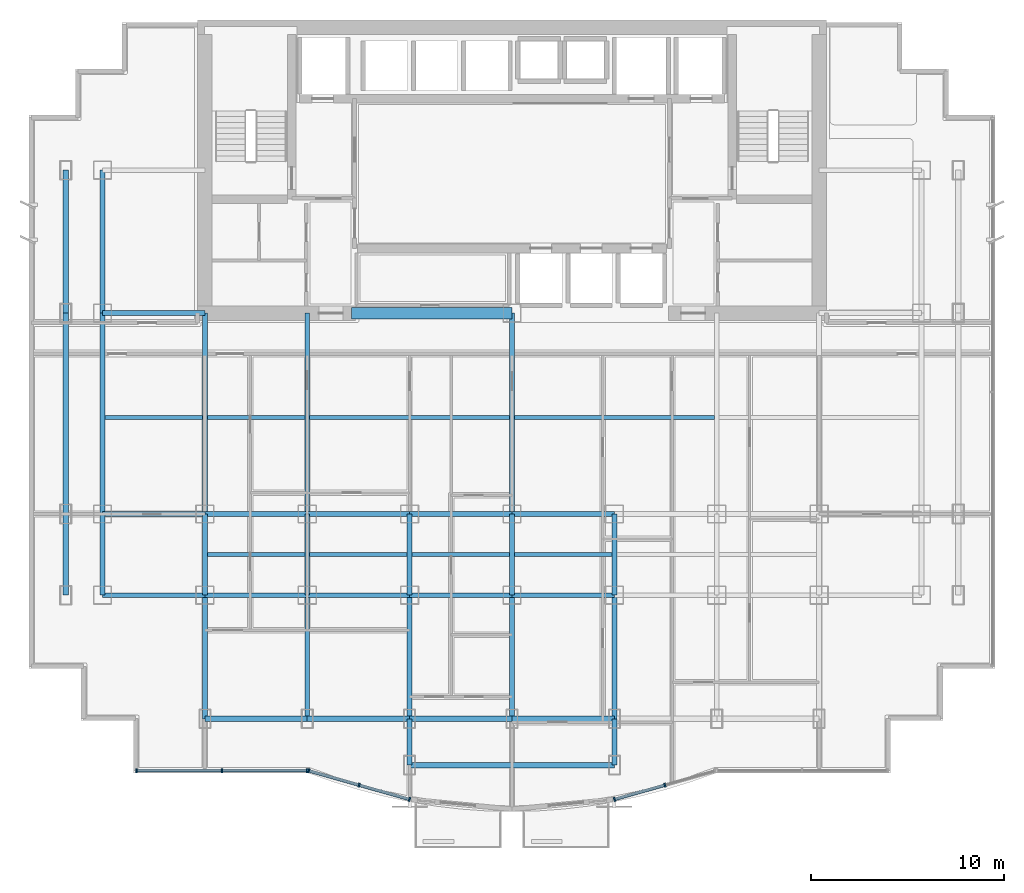
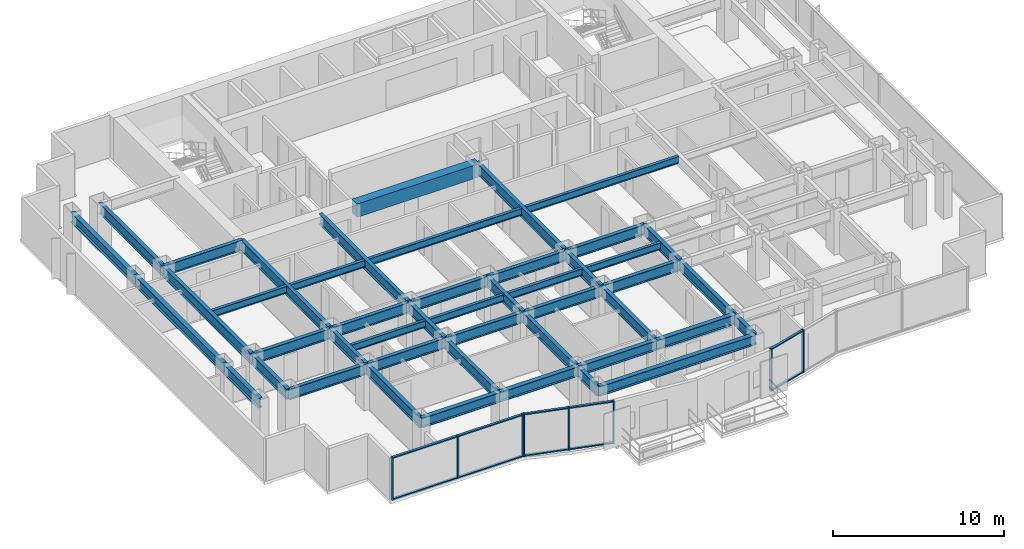
# One storey, part 2 of 11: 46 beams, 18 members, 3 elements without a shape of their own.
"""IFC4 building model written with IfcOpenShell, lengths in metres."""

from ifc_helpers import new_model, si_unit, direction, frame, origin, origin_2d, place, context, subcontext, project, spatial, rectangle, i_section, extrude, source, transform, mapped, material, layer, layer_set, material_profile, profile_set, type_object, element, aggregate, save


model = new_model("IFC4")

# Units and contexts
model_context = context("Model", 3, precision=1e-05, world=origin(), true_north=direction((0.0, 1.0)))
body_context = subcontext(model_context, "Body", "Model", "MODEL_VIEW")
ifc_project = project(units=[si_unit("LENGTHUNIT", "METRE"), si_unit("AREAUNIT", "SQUARE_METRE"), si_unit("VOLUMEUNIT", "CUBIC_METRE"), si_unit("PLANEANGLEUNIT", "RADIAN"), si_unit("MASSUNIT", "GRAM", prefix="KILO")], contexts=[model_context])

# Site, building, storey
site_placement = place(None, origin())
site = spatial("IfcSite", under=ifc_project, at=site_placement, CompositionType="ELEMENT")
building_placement = place(site_placement, origin())
building = spatial("IfcBuilding", under=site, at=building_placement, Name="Qianlan Lanfeng Residences", CompositionType="ELEMENT")
storey_placement = place(building_placement, frame((0.0, 0.0, 124.60009765625)))
storey = spatial("IfcBuildingStorey", under=building, at=storey_placement, Name="L34", CompositionType="ELEMENT", Elevation=124.60009765625)

# Beams
ifc_material_1 = material(Name="Steel SN490B", Category="steel")
ifc_material_profile_1 = material_profile(ifc_material_1, i_section(OverallWidth=0.25, OverallDepth=0.75, WebThickness=0.013916015625, FlangeThickness=0.02490234375, at=origin_2d()), Name="H 750x250x14x25")
ifc_profile_set_1 = profile_set([ifc_material_profile_1], Name="Steel SN490B")
beam_type_1 = type_object("IfcBeamType", Name="G-850", PredefinedType="BEAM", material=ifc_profile_set_1)
beam_1_placement = place(storey_placement, frame((5.300048828125, 10.60009765625, 2.65478515625), z_axis=(1.0, 0.0, 0.0), x_axis=(0.0, 1.0, 0.0)))
element("IfcBeam", 1, at=beam_1_placement, inside=storey, type_object=beam_type_1, Name="Structural beam G-850", PredefinedType="BEAM", context=body_context, shape_type="SweptSolid", body=[
    extrude(i_section(OverallWidth=0.25, OverallDepth=0.75, WebThickness=0.013916015625, FlangeThickness=0.02490234375, at=origin_2d()), origin(), (0.0, 0.0, 1.0), 5.300048828125),
])
beam_2_placement = place(storey_placement, frame((10.60009765625, 10.60009765625, 2.65478515625), z_axis=(1.0, 0.0, 0.0), x_axis=(0.0, 1.0, 0.0)))
element("IfcBeam", 2, at=beam_2_placement, inside=storey, type_object=beam_type_1, Name="Structural beam G-850", PredefinedType="BEAM", context=body_context, shape_type="SweptSolid", body=[
    extrude(i_section(OverallWidth=0.25, OverallDepth=0.75, WebThickness=0.013916015625, FlangeThickness=0.02490234375, at=origin_2d()), origin(), (0.0, 0.0, 1.0), 5.2998046875),
])
for number, where, z_axis, x_axis, name in (
    (3, (15.89990234375, 10.60009765625, 2.65478515625), (1.0, 0.0, 0.0), (0.0, 1.0, 0.0), "Structural beam G-850"),
    (4, (21.199951171875, 10.60009765625, 2.65478515625), (1.0, 0.0, 0.0), (0.0, 1.0, 0.0), "Structural beam G-850"),
    (5, (26.5, 10.60009765625, 2.65478515625), (1.0, 0.0, 0.0), (0.0, 1.0, 0.0), "Structural beam G-850"),
    (6, (5.300048828125, 14.800048828125, 2.65478515625), (1.0, 0.0, 0.0), (0.0, 1.0, 0.0), "Structural beam G-850"),
):
    element("IfcBeam", number, at=place(storey_placement, frame(where, z_axis=z_axis, x_axis=x_axis)), inside=storey, type_object=beam_type_1, Name=name, PredefinedType="BEAM", context=body_context, shape_type="SweptSolid", body=[
        extrude(i_section(OverallWidth=0.25, OverallDepth=0.75, WebThickness=0.013916015625, FlangeThickness=0.02490234375, at=origin_2d()), origin(), (0.0, 0.0, 1.0), 5.300048828125),
    ])
beam_3_placement = place(storey_placement, frame((10.60009765625, 14.800048828125, 2.65478515625), z_axis=(1.0, 0.0, 0.0), x_axis=(0.0, 1.0, 0.0)))
element("IfcBeam", 7, at=beam_3_placement, inside=storey, type_object=beam_type_1, Name="Structural beam G-850", PredefinedType="BEAM", context=body_context, shape_type="SweptSolid", body=[
    extrude(i_section(OverallWidth=0.25, OverallDepth=0.75, WebThickness=0.013916015625, FlangeThickness=0.02490234375, at=origin_2d()), origin(), (0.0, 0.0, 1.0), 5.2998046875),
])
for number, where, z_axis, x_axis, name in (
    (8, (15.89990234375, 14.800048828125, 2.65478515625), (1.0, 0.0, 0.0), (0.0, 1.0, 0.0), "Structural beam G-850"),
    (9, (21.199951171875, 14.800048828125, 2.65478515625), (1.0, 0.0, 0.0), (0.0, 1.0, 0.0), "Structural beam G-850"),
    (10, (26.5, 14.800048828125, 2.65478515625), (1.0, 0.0, 0.0), (0.0, 1.0, 0.0), "Structural beam G-850"),
    (11, (5.300048828125, 25.199951171875, 2.65478515625), (1.0, 0.0, 0.0), (0.0, 1.0, 0.0), "Structural beam G-850"),
):
    element("IfcBeam", number, at=place(storey_placement, frame(where, z_axis=z_axis, x_axis=x_axis)), inside=storey, type_object=beam_type_1, Name=name, PredefinedType="BEAM", context=body_context, shape_type="SweptSolid", body=[
        extrude(i_section(OverallWidth=0.25, OverallDepth=0.75, WebThickness=0.013916015625, FlangeThickness=0.02490234375, at=origin_2d()), origin(), (0.0, 0.0, 1.0), 5.300048828125),
    ])
beam_4_placement = place(storey_placement, frame((5.300048828125, 10.60009765625, 2.65478515625), z_axis=(0.0, 1.0, 0.0), x_axis=(-1.0, 0.0, 0.0)))
element("IfcBeam", 12, at=beam_4_placement, inside=storey, type_object=beam_type_1, Name="Structural beam G-850", PredefinedType="BEAM", context=body_context, shape_type="SweptSolid", body=[
    extrude(i_section(OverallWidth=0.25, OverallDepth=0.75, WebThickness=0.013916015625, FlangeThickness=0.02490234375, at=origin_2d()), origin(), (0.0, 0.0, 1.0), 4.199951171875),
])
beam_5_placement = place(storey_placement, frame((5.300048828125, 14.800048828125, 2.65478515625), z_axis=(0.0, 1.0, 0.0), x_axis=(-1.0, 0.0, 0.0)))
element("IfcBeam", 13, at=beam_5_placement, inside=storey, type_object=beam_type_1, Name="Structural beam G-850", PredefinedType="BEAM", context=body_context, shape_type="SweptSolid", body=[
    extrude(i_section(OverallWidth=0.25, OverallDepth=0.75, WebThickness=0.013916015625, FlangeThickness=0.02490234375, at=origin_2d()), origin(), (0.0, 0.0, 1.0), 10.39990234375),
])
beam_6_placement = place(storey_placement, frame((5.300048828125, 25.199951171875, 2.65478515625), z_axis=(0.0, 1.0, 0.0), x_axis=(-1.0, 0.0, 0.0)))
element("IfcBeam", 14, at=beam_6_placement, inside=storey, type_object=beam_type_1, Name="Structural beam G-850", PredefinedType="BEAM", context=body_context, shape_type="SweptSolid", body=[
    extrude(i_section(OverallWidth=0.25, OverallDepth=0.75, WebThickness=0.013916015625, FlangeThickness=0.02490234375, at=origin_2d()), origin(), (0.0, 0.0, 1.0), 7.400146484375),
])
beam_7_placement = place(storey_placement, frame((10.60009765625, 4.199951171875, 2.65478515625), z_axis=(0.0, 1.0, 0.0), x_axis=(-1.0, 0.0, 0.0)))
element("IfcBeam", 15, at=beam_7_placement, inside=storey, type_object=beam_type_1, Name="Structural beam G-850", PredefinedType="BEAM", context=body_context, shape_type="SweptSolid", body=[
    extrude(i_section(OverallWidth=0.25, OverallDepth=0.75, WebThickness=0.013916015625, FlangeThickness=0.02490234375, at=origin_2d()), origin(), (0.0, 0.0, 1.0), 6.400146484375),
])
beam_8_placement = place(storey_placement, frame((10.60009765625, 10.60009765625, 2.65478515625), z_axis=(0.0, 1.0, 0.0), x_axis=(-1.0, 0.0, 0.0)))
element("IfcBeam", 16, at=beam_8_placement, inside=storey, type_object=beam_type_1, Name="Structural beam G-850", PredefinedType="BEAM", context=body_context, shape_type="SweptSolid", body=[
    extrude(i_section(OverallWidth=0.25, OverallDepth=0.75, WebThickness=0.013916015625, FlangeThickness=0.02490234375, at=origin_2d()), origin(), (0.0, 0.0, 1.0), 4.199951171875),
])
beam_9_placement = place(storey_placement, frame((10.60009765625, 14.800048828125, 2.65478515625), z_axis=(0.0, 1.0, 0.0), x_axis=(-1.0, 0.0, 0.0)))
element("IfcBeam", 17, at=beam_9_placement, inside=storey, type_object=beam_type_1, Name="Structural beam G-850", PredefinedType="BEAM", context=body_context, shape_type="SweptSolid", body=[
    extrude(i_section(OverallWidth=0.25, OverallDepth=0.75, WebThickness=0.013916015625, FlangeThickness=0.02490234375, at=origin_2d()), origin(), (0.0, 0.0, 1.0), 10.39990234375),
])
beam_10_placement = place(storey_placement, frame((15.89990234375, 4.199951171875, 2.65478515625), z_axis=(0.0, 1.0, 0.0), x_axis=(-1.0, 0.0, 0.0)))
element("IfcBeam", 18, at=beam_10_placement, inside=storey, type_object=beam_type_1, Name="Structural beam G-850", PredefinedType="BEAM", context=body_context, shape_type="SweptSolid", body=[
    extrude(i_section(OverallWidth=0.25, OverallDepth=0.75, WebThickness=0.013916015625, FlangeThickness=0.02490234375, at=origin_2d()), origin(), (0.0, 0.0, 1.0), 6.400146484375),
])
beam_11_placement = place(storey_placement, frame((15.89990234375, 10.60009765625, 2.65478515625), z_axis=(0.0, 1.0, 0.0), x_axis=(-1.0, 0.0, 0.0)))
element("IfcBeam", 19, at=beam_11_placement, inside=storey, type_object=beam_type_1, Name="Structural beam G-850", PredefinedType="BEAM", context=body_context, shape_type="SweptSolid", body=[
    extrude(i_section(OverallWidth=0.25, OverallDepth=0.75, WebThickness=0.013916015625, FlangeThickness=0.02490234375, at=origin_2d()), origin(), (0.0, 0.0, 1.0), 4.199951171875),
])
beam_12_placement = place(storey_placement, frame((15.89990234375, 14.800048828125, 2.65478515625), z_axis=(0.0, 1.0, 0.0), x_axis=(-1.0, 0.0, 0.0)))
element("IfcBeam", 20, at=beam_12_placement, inside=storey, type_object=beam_type_1, Name="Structural beam G-850", PredefinedType="BEAM", context=body_context, shape_type="SweptSolid", body=[
    extrude(i_section(OverallWidth=0.25, OverallDepth=0.75, WebThickness=0.013916015625, FlangeThickness=0.02490234375, at=origin_2d()), origin(), (0.0, 0.0, 1.0), 10.39990234375),
])
beam_13_placement = place(storey_placement, frame((21.199951171875, 1.800048828125, 2.65478515625), z_axis=(0.0, 1.0, 0.0), x_axis=(-1.0, 0.0, 0.0)))
element("IfcBeam", 21, at=beam_13_placement, inside=storey, type_object=beam_type_1, Name="Structural beam G-850", PredefinedType="BEAM", context=body_context, shape_type="SweptSolid", body=[
    extrude(i_section(OverallWidth=0.25, OverallDepth=0.75, WebThickness=0.013916015625, FlangeThickness=0.02490234375, at=origin_2d()), origin(), (0.0, 0.0, 1.0), 2.39990234375),
])
beam_14_placement = place(storey_placement, frame((21.199951171875, 4.199951171875, 2.65478515625), z_axis=(0.0, 1.0, 0.0), x_axis=(-1.0, 0.0, 0.0)))
element("IfcBeam", 22, at=beam_14_placement, inside=storey, type_object=beam_type_1, Name="Structural beam G-850", PredefinedType="BEAM", context=body_context, shape_type="SweptSolid", body=[
    extrude(i_section(OverallWidth=0.25, OverallDepth=0.75, WebThickness=0.013916015625, FlangeThickness=0.02490234375, at=origin_2d()), origin(), (0.0, 0.0, 1.0), 6.400146484375),
])
beam_15_placement = place(storey_placement, frame((21.199951171875, 10.60009765625, 2.65478515625), z_axis=(0.0, 1.0, 0.0), x_axis=(-1.0, 0.0, 0.0)))
element("IfcBeam", 23, at=beam_15_placement, inside=storey, type_object=beam_type_1, Name="Structural beam G-850", PredefinedType="BEAM", context=body_context, shape_type="SweptSolid", body=[
    extrude(i_section(OverallWidth=0.25, OverallDepth=0.75, WebThickness=0.013916015625, FlangeThickness=0.02490234375, at=origin_2d()), origin(), (0.0, 0.0, 1.0), 4.199951171875),
])
beam_16_placement = place(storey_placement, frame((26.5, 4.199951171875, 2.65478515625), z_axis=(0.0, 1.0, 0.0), x_axis=(-1.0, 0.0, 0.0)))
element("IfcBeam", 24, at=beam_16_placement, inside=storey, type_object=beam_type_1, Name="Structural beam G-850", PredefinedType="BEAM", context=body_context, shape_type="SweptSolid", body=[
    extrude(i_section(OverallWidth=0.25, OverallDepth=0.75, WebThickness=0.013916015625, FlangeThickness=0.02490234375, at=origin_2d()), origin(), (0.0, 0.0, 1.0), 6.400146484375),
])
beam_17_placement = place(storey_placement, frame((26.5, 10.60009765625, 2.65478515625), z_axis=(0.0, 1.0, 0.0), x_axis=(-1.0, 0.0, 0.0)))
element("IfcBeam", 25, at=beam_17_placement, inside=storey, type_object=beam_type_1, Name="Structural beam G-850", PredefinedType="BEAM", context=body_context, shape_type="SweptSolid", body=[
    extrude(i_section(OverallWidth=0.25, OverallDepth=0.75, WebThickness=0.013916015625, FlangeThickness=0.02490234375, at=origin_2d()), origin(), (0.0, 0.0, 1.0), 4.199951171875),
])
beam_18_placement = place(storey_placement, frame((26.5, 14.800048828125, 2.65478515625), z_axis=(0.0, 1.0, 0.0), x_axis=(-1.0, 0.0, 0.0)))
element("IfcBeam", 26, at=beam_18_placement, inside=storey, type_object=beam_type_1, Name="Structural beam G-850", PredefinedType="BEAM", context=body_context, shape_type="SweptSolid", body=[
    extrude(i_section(OverallWidth=0.25, OverallDepth=0.75, WebThickness=0.013916015625, FlangeThickness=0.02490234375, at=origin_2d()), origin(), (0.0, 0.0, 1.0), 10.39990234375),
])
beam_19_placement = place(storey_placement, frame((31.800048828125, 1.800048828125, 2.65478515625), z_axis=(0.0, 1.0, 0.0), x_axis=(-1.0, 0.0, 0.0)))
element("IfcBeam", 27, at=beam_19_placement, inside=storey, type_object=beam_type_1, Name="Structural beam G-850", PredefinedType="BEAM", context=body_context, shape_type="SweptSolid", body=[
    extrude(i_section(OverallWidth=0.25, OverallDepth=0.75, WebThickness=0.013916015625, FlangeThickness=0.02490234375, at=origin_2d()), origin(), (0.0, 0.0, 1.0), 2.39990234375),
])
beam_20_placement = place(storey_placement, frame((31.800048828125, 4.199951171875, 2.65478515625), z_axis=(0.0, 1.0, 0.0), x_axis=(-1.0, 0.0, 0.0)))
element("IfcBeam", 28, at=beam_20_placement, inside=storey, type_object=beam_type_1, Name="Structural beam G-850", PredefinedType="BEAM", context=body_context, shape_type="SweptSolid", body=[
    extrude(i_section(OverallWidth=0.25, OverallDepth=0.75, WebThickness=0.013916015625, FlangeThickness=0.02490234375, at=origin_2d()), origin(), (0.0, 0.0, 1.0), 6.400146484375),
])
beam_21_placement = place(storey_placement, frame((31.800048828125, 10.60009765625, 2.65478515625), z_axis=(0.0, 1.0, 0.0), x_axis=(-1.0, 0.0, 0.0)))
element("IfcBeam", 29, at=beam_21_placement, inside=storey, type_object=beam_type_1, Name="Structural beam G-850", PredefinedType="BEAM", context=body_context, shape_type="SweptSolid", body=[
    extrude(i_section(OverallWidth=0.25, OverallDepth=0.75, WebThickness=0.013916015625, FlangeThickness=0.02490234375, at=origin_2d()), origin(), (0.0, 0.0, 1.0), 4.199951171875),
])
ifc_material_profile_2 = material_profile(ifc_material_1, i_section(OverallWidth=0.199951171875, OverallDepth=0.5, WebThickness=0.010009765625, FlangeThickness=0.01611328125, at=origin_2d()), Name="H 500x200x10x16")
ifc_profile_set_2 = profile_set([ifc_material_profile_2], Name="Steel SN490B")
beam_type_2 = type_object("IfcBeamType", Name="J-500", PredefinedType="JOIST", material=ifc_profile_set_2)
beam_22_placement = place(storey_placement, frame((10.72509765625, 12.699951171875, 2.77978515625), z_axis=(1.0, 0.0, 0.0), x_axis=(0.0, 1.0, 0.0)))
element("IfcBeam", 30, at=beam_22_placement, inside=storey, type_object=beam_type_2, Name="Structural beam J-500", PredefinedType="JOIST", context=body_context, shape_type="SweptSolid", body=[
    extrude(i_section(OverallWidth=0.199951171875, OverallDepth=0.5, WebThickness=0.010009765625, FlangeThickness=0.01611328125, at=origin_2d()), origin(), (0.0, 0.0, 1.0), 5.0498046875),
])
for number, where, z_axis, x_axis, name in (
    (31, (16.02490234375, 12.699951171875, 2.77978515625), (1.0, 0.0, 0.0), (0.0, 1.0, 0.0), "Structural beam J-500"),
    (32, (21.324951171875, 12.699951171875, 2.77978515625), (1.0, 0.0, 0.0), (0.0, 1.0, 0.0), "Structural beam J-500"),
    (33, (26.625, 12.699951171875, 2.77978515625), (1.0, 0.0, 0.0), (0.0, 1.0, 0.0), "Structural beam J-500"),
    (34, (5.425048828125, 19.800048828125, 2.77978515625), (1.0, 0.0, 0.0), (0.0, 1.0, 0.0), "Structural beam J-500"),
):
    element("IfcBeam", number, at=place(storey_placement, frame(where, z_axis=z_axis, x_axis=x_axis)), inside=storey, type_object=beam_type_2, Name=name, PredefinedType="JOIST", context=body_context, shape_type="SweptSolid", body=[
        extrude(i_section(OverallWidth=0.199951171875, OverallDepth=0.5, WebThickness=0.010009765625, FlangeThickness=0.01611328125, at=origin_2d()), origin(), (0.0, 0.0, 1.0), 5.050048828125),
    ])
beam_23_placement = place(storey_placement, frame((10.72509765625, 19.800048828125, 2.77978515625), z_axis=(1.0, 0.0, 0.0), x_axis=(0.0, 1.0, 0.0)))
element("IfcBeam", 35, at=beam_23_placement, inside=storey, type_object=beam_type_2, Name="Structural beam J-500", PredefinedType="JOIST", context=body_context, shape_type="SweptSolid", body=[
    extrude(i_section(OverallWidth=0.199951171875, OverallDepth=0.5, WebThickness=0.010009765625, FlangeThickness=0.01611328125, at=origin_2d()), origin(), (0.0, 0.0, 1.0), 5.0498046875),
])
for number, where, z_axis, x_axis, name in (
    (36, (16.02490234375, 19.800048828125, 2.77978515625), (1.0, 0.0, 0.0), (0.0, 1.0, 0.0), "Structural beam J-500"),
    (37, (26.625, 19.800048828125, 2.77978515625), (1.0, 0.0, 0.0), (0.0, 1.0, 0.0), "Structural beam J-500"),
):
    element("IfcBeam", number, at=place(storey_placement, frame(where, z_axis=z_axis, x_axis=x_axis)), inside=storey, type_object=beam_type_2, Name=name, PredefinedType="JOIST", context=body_context, shape_type="SweptSolid", body=[
        extrude(i_section(OverallWidth=0.199951171875, OverallDepth=0.5, WebThickness=0.010009765625, FlangeThickness=0.01611328125, at=origin_2d()), origin(), (0.0, 0.0, 1.0), 10.35009765625),
    ])
ifc_material_2 = material(Name="Concrete C60", Category="concrete")
ifc_material_profile_3 = material_profile(ifc_material_2, rectangle(XDim=0.60009765625, YDim=0.949951171875, at=origin_2d()), Name="RC 600x950")
ifc_profile_set_3 = profile_set([ifc_material_profile_3], Name="Concrete C60")
beam_type_3 = type_object("IfcBeamType", Name="LB-RC900", PredefinedType="BEAM", material=ifc_profile_set_3)
beam_24_placement = place(storey_placement, frame((18.199951171875, 25.199951171875, 2.554931640625), z_axis=(1.0, 0.0, 0.0), x_axis=(0.0, 1.0, 0.0)))
element("IfcBeam", 38, at=beam_24_placement, inside=storey, type_object=beam_type_3, Name="L34 Core Coupling Beam W", PredefinedType="BEAM", context=body_context, shape_type="SweptSolid", body=[
    extrude(rectangle(XDim=0.60009765625, YDim=0.949951171875, at=origin_2d()), origin(), (0.0, 0.0, 1.0), 8.300048828125),
])
ifc_material_profile_4 = material_profile(ifc_material_1, i_section(OverallWidth=0.300048828125, OverallDepth=0.699951171875, WebThickness=0.012939453125, FlangeThickness=0.02392578125, at=origin_2d()), Name="H 700x300x13x24")
ifc_profile_set_4 = profile_set([ifc_material_profile_4], Name="Steel SN490B")
beam_type_4 = type_object("IfcBeamType", Name="SG-750", PredefinedType="SPANDREL", material=ifc_profile_set_4)
beam_25_placement = place(storey_placement, frame((21.199951171875, 1.800048828125, 2.679931640625), z_axis=(1.0, 0.0, 0.0), x_axis=(0.0, 1.0, 0.0)))
element("IfcBeam", 39, at=beam_25_placement, inside=storey, type_object=beam_type_4, Name="Structural beam SG-750", PredefinedType="SPANDREL", context=body_context, shape_type="SweptSolid", body=[
    extrude(i_section(OverallWidth=0.300048828125, OverallDepth=0.699951171875, WebThickness=0.012939453125, FlangeThickness=0.02392578125, at=origin_2d()), origin(), (0.0, 0.0, 1.0), 10.60009765625),
])
beam_26_placement = place(storey_placement, frame((10.60009765625, 4.199951171875, 2.679931640625), z_axis=(1.0, 0.0, 0.0), x_axis=(0.0, 1.0, 0.0)))
element("IfcBeam", 40, at=beam_26_placement, inside=storey, type_object=beam_type_4, Name="Structural beam SG-750", PredefinedType="SPANDREL", context=body_context, shape_type="SweptSolid", body=[
    extrude(i_section(OverallWidth=0.300048828125, OverallDepth=0.699951171875, WebThickness=0.012939453125, FlangeThickness=0.02392578125, at=origin_2d()), origin(), (0.0, 0.0, 1.0), 5.2998046875),
])
for number, where, z_axis, x_axis, name in (
    (41, (15.89990234375, 4.199951171875, 2.679931640625), (1.0, 0.0, 0.0), (0.0, 1.0, 0.0), "Structural beam SG-750"),
    (42, (21.199951171875, 4.199951171875, 2.679931640625), (1.0, 0.0, 0.0), (0.0, 1.0, 0.0), "Structural beam SG-750"),
    (43, (26.5, 4.199951171875, 2.679931640625), (1.0, 0.0, 0.0), (0.0, 1.0, 0.0), "Structural beam SG-750"),
):
    element("IfcBeam", number, at=place(storey_placement, frame(where, z_axis=z_axis, x_axis=x_axis)), inside=storey, type_object=beam_type_4, Name=name, PredefinedType="SPANDREL", context=body_context, shape_type="SweptSolid", body=[
        extrude(i_section(OverallWidth=0.300048828125, OverallDepth=0.699951171875, WebThickness=0.012939453125, FlangeThickness=0.02392578125, at=origin_2d()), origin(), (0.0, 0.0, 1.0), 5.300048828125),
    ])
beam_27_placement = place(storey_placement, frame((3.39990234375, 10.60009765625, 2.679931640625), z_axis=(0.0, 1.0, 0.0), x_axis=(-1.0, 0.0, 0.0)))
element("IfcBeam", 44, at=beam_27_placement, inside=storey, type_object=beam_type_4, Name="Structural beam SG-750", PredefinedType="SPANDREL", context=body_context, shape_type="SweptSolid", body=[
    extrude(i_section(OverallWidth=0.300048828125, OverallDepth=0.699951171875, WebThickness=0.012939453125, FlangeThickness=0.02392578125, at=origin_2d()), origin(), (0.0, 0.0, 1.0), 4.199951171875),
])
beam_28_placement = place(storey_placement, frame((3.39990234375, 14.800048828125, 2.679931640625), z_axis=(0.0, 1.0, 0.0), x_axis=(-1.0, 0.0, 0.0)))
element("IfcBeam", 45, at=beam_28_placement, inside=storey, type_object=beam_type_4, Name="Structural beam SG-750", PredefinedType="SPANDREL", context=body_context, shape_type="SweptSolid", body=[
    extrude(i_section(OverallWidth=0.300048828125, OverallDepth=0.699951171875, WebThickness=0.012939453125, FlangeThickness=0.02392578125, at=origin_2d()), origin(), (0.0, 0.0, 1.0), 10.39990234375),
])
beam_29_placement = place(storey_placement, frame((3.39990234375, 25.199951171875, 2.679931640625), z_axis=(0.0, 1.0, 0.0), x_axis=(-1.0, 0.0, 0.0)))
element("IfcBeam", 46, at=beam_29_placement, inside=storey, type_object=beam_type_4, Name="Structural beam SG-750", PredefinedType="SPANDREL", context=body_context, shape_type="SweptSolid", body=[
    extrude(i_section(OverallWidth=0.300048828125, OverallDepth=0.699951171875, WebThickness=0.012939453125, FlangeThickness=0.02392578125, at=origin_2d()), origin(), (0.0, 0.0, 1.0), 7.400146484375),
])

# Curtain wall, members
ifc_material_3 = material(Name="Anodised Bronze Aluminium 6063-T6", Category="aluminium")
ifc_layer = layer(ifc_material_3, 0.219970703125)
ifc_layer_set = layer_set([ifc_layer], Name="Anodised Bronze Aluminium 6063-T6")
curtain_wall_type = type_object("IfcCurtainWallType", Name="CW-03", PredefinedType="NOTDEFINED", material=ifc_layer_set)
curtain_wall_1_placement = place(storey_placement, origin())
curtain_wall_1 = element("IfcCurtainWall", 47, at=curtain_wall_1_placement, inside=storey, type_object=curtain_wall_type, Name="L34 Unitised Curtain Wall CWR-L34-01 (CW-03)", PredefinedType="NOTDEFINED")
ifc_material_profile_5 = material_profile(ifc_material_3, rectangle(XDim=0.080078125, YDim=0.2099609375, at=origin_2d()), Name="ALU MULLION 80x210")
ifc_profile_set_5 = profile_set([ifc_material_profile_5], Name="Anodised Bronze Aluminium 6063-T6")
member_type_1 = type_object("IfcMemberType", Name="CWM-220", PredefinedType="MULLION", material=ifc_profile_set_5)
shared_shape_1 = source(origin(), body_context, "Body", "SweptSolid", [
    extrude(rectangle(XDim=0.080078125, YDim=0.2099609375, at=origin_2d()), origin(), (0.0, 0.0, 1.0), 3.02978515625),
])
member_1_placement = place(storey_placement, frame((7.06005859375, 1.52001953125, 0.0), z_axis=(0.0, 0.0, 1.0), x_axis=(1.0, 0.0, 0.0)))
member_1 = element("IfcMember", 48, at=member_1_placement, type_object=member_type_1, Name="CWR-L34-01 Mullion 1", PredefinedType="MULLION", context=body_context, shape_type="MappedRepresentation", body=[
    mapped(shared_shape_1, transform((0.0, 0.0, 0.0), scale=1.0)),
])
member_2_placement = place(storey_placement, frame((11.48046875, 1.52001953125, 0.0), z_axis=(0.0, 0.0, 1.0), x_axis=(1.0, 0.0, 0.0)))
member_2 = element("IfcMember", 49, at=member_2_placement, type_object=member_type_1, Name="CWR-L34-01 Mullion 2", PredefinedType="MULLION", context=body_context, shape_type="MappedRepresentation", body=[
    mapped(shared_shape_1, transform((0.0, 0.0, 0.0), scale=1.0)),
])
member_3_placement = place(storey_placement, frame((15.90087890625, 1.52001953125, 0.0), z_axis=(0.0, 0.0, 1.0), x_axis=(1.0, 0.0, 0.0)))
member_3 = element("IfcMember", 50, at=member_3_placement, type_object=member_type_1, Name="CWR-L34-01 Mullion 3", PredefinedType="MULLION", context=body_context, shape_type="MappedRepresentation", body=[
    mapped(shared_shape_1, transform((0.0, 0.0, 0.0), scale=1.0)),
])

curtain_wall_2_placement = place(storey_placement, origin())
curtain_wall_2 = element("IfcCurtainWall", 51, at=curtain_wall_2_placement, inside=storey, type_object=curtain_wall_type, Name="L34 Unitised Curtain Wall CWR-L34-02 (CW-03)", PredefinedType="NOTDEFINED")
member_4_placement = place(storey_placement, frame((15.9794921875, 1.509033203125, 0.0), z_axis=(0.0, 0.0, 1.0), x_axis=(0.961989074302, -0.273087936247, 0.0)))
member_4 = element("IfcMember", 52, at=member_4_placement, type_object=member_type_1, Name="CWR-L34-02 Mullion 1", PredefinedType="MULLION", context=body_context, shape_type="MappedRepresentation", body=[
    mapped(shared_shape_1, transform((0.0, 0.0, 0.0), scale=1.0)),
])
member_5_placement = place(storey_placement, frame((18.58642578125, 0.76904296875, 0.0), z_axis=(0.0, 0.0, 1.0), x_axis=(0.961989074302, -0.273087936247, 0.0)))
member_5 = element("IfcMember", 53, at=member_5_placement, type_object=member_type_1, Name="CWR-L34-02 Mullion 2", PredefinedType="MULLION", context=body_context, shape_type="MappedRepresentation", body=[
    mapped(shared_shape_1, transform((0.0, 0.0, 0.0), scale=1.0)),
])
member_6_placement = place(storey_placement, frame((21.193603515625, 0.02880859375, 0.0), z_axis=(0.0, 0.0, 1.0), x_axis=(0.961989074302, -0.273087936247, 0.0)))
member_6 = element("IfcMember", 54, at=member_6_placement, type_object=member_type_1, Name="CWR-L34-02 Mullion 3", PredefinedType="MULLION", context=body_context, shape_type="MappedRepresentation", body=[
    mapped(shared_shape_1, transform((0.0, 0.0, 0.0), scale=1.0)),
])

curtain_wall_3_placement = place(storey_placement, origin())
curtain_wall_3 = element("IfcCurtainWall", 55, at=curtain_wall_3_placement, inside=storey, type_object=curtain_wall_type, Name="L34 Unitised Curtain Wall CWR-L34-03 (CW-03)", PredefinedType="NOTDEFINED")
member_7_placement = place(storey_placement, frame((31.806396484375, 0.02880859375, 0.0), z_axis=(0.0, 0.0, 1.0), x_axis=(0.961989074302, 0.273087936247, 0.0)))
member_7 = element("IfcMember", 56, at=member_7_placement, type_object=member_type_1, Name="CWR-L34-03 Mullion 1", PredefinedType="MULLION", context=body_context, shape_type="MappedRepresentation", body=[
    mapped(shared_shape_1, transform((0.0, 0.0, 0.0), scale=1.0)),
])
member_8_placement = place(storey_placement, frame((34.41357421875, 0.76904296875, 0.0), z_axis=(0.0, 0.0, 1.0), x_axis=(0.961989074302, 0.273087936247, 0.0)))
member_8 = element("IfcMember", 57, at=member_8_placement, type_object=member_type_1, Name="CWR-L34-03 Mullion 2", PredefinedType="MULLION", context=body_context, shape_type="MappedRepresentation", body=[
    mapped(shared_shape_1, transform((0.0, 0.0, 0.0), scale=1.0)),
])

# Member
ifc_material_profile_6 = material_profile(ifc_material_3, rectangle(XDim=0.080078125, YDim=0.159912109375, at=origin_2d()), Name="ALU TRANSOM 80x160")
ifc_profile_set_6 = profile_set([ifc_material_profile_6], Name="Anodised Bronze Aluminium 6063-T6")
member_type_2 = type_object("IfcMemberType", Name="CWT-180", PredefinedType="USERDEFINED", material=ifc_profile_set_6)
shared_shape_2 = source(origin(), body_context, "Body", "SweptSolid", [
    extrude(rectangle(XDim=0.080078125, YDim=0.159912109375, at=origin_2d()), origin(), (0.0, 0.0, 1.0), 4.34033203125),
])
member_9_placement = place(storey_placement, frame((7.10009765625, 1.52001953125, 0.039794921875), z_axis=(1.0, 0.0, 0.0), x_axis=(0.0, 0.0, 1.0)))
member_9 = element("IfcMember", 58, at=member_9_placement, type_object=member_type_2, Name="CWR-L34-01 Transom 1-BOT", ObjectType="TRANSOM", PredefinedType="USERDEFINED", context=body_context, shape_type="MappedRepresentation", body=[
    mapped(shared_shape_2, transform((0.0, 0.0, 0.0), scale=1.0)),
])

member_10_placement = place(storey_placement, frame((7.10009765625, 1.52001953125, 2.989990234375), z_axis=(1.0, 0.0, 0.0), x_axis=(0.0, 0.0, 1.0)))
member_10 = element("IfcMember", 59, at=member_10_placement, type_object=member_type_2, Name="CWR-L34-01 Transom 1-TOP", ObjectType="TRANSOM", PredefinedType="USERDEFINED", context=body_context, shape_type="MappedRepresentation", body=[
    mapped(shared_shape_2, transform((0.0, 0.0, 0.0), scale=1.0)),
])

shared_shape_3 = source(origin(), body_context, "Body", "SweptSolid", [
    extrude(rectangle(XDim=0.080078125, YDim=0.159912109375, at=origin_2d()), origin(), (0.0, 0.0, 1.0), 4.340576171875),
])
member_11_placement = place(storey_placement, frame((11.5205078125, 1.52001953125, 0.039794921875), z_axis=(1.0, 0.0, 0.0), x_axis=(0.0, 0.0, 1.0)))
member_11 = element("IfcMember", 60, at=member_11_placement, type_object=member_type_2, Name="CWR-L34-01 Transom 2-BOT", ObjectType="TRANSOM", PredefinedType="USERDEFINED", context=body_context, shape_type="MappedRepresentation", body=[
    mapped(shared_shape_3, transform((0.0, 0.0, 0.0), scale=1.0)),
])

member_12_placement = place(storey_placement, frame((11.5205078125, 1.52001953125, 2.989990234375), z_axis=(1.0, 0.0, 0.0), x_axis=(0.0, 0.0, 1.0)))
member_12 = element("IfcMember", 61, at=member_12_placement, type_object=member_type_2, Name="CWR-L34-01 Transom 2-TOP", ObjectType="TRANSOM", PredefinedType="USERDEFINED", context=body_context, shape_type="MappedRepresentation", body=[
    mapped(shared_shape_3, transform((0.0, 0.0, 0.0), scale=1.0)),
])

aggregate(curtain_wall_1, [member_1, member_2, member_3, member_9, member_10, member_11, member_12])

shared_shape_4 = source(origin(), body_context, "Body", "SweptSolid", [
    extrude(rectangle(XDim=0.080078125, YDim=0.159912109375, at=origin_2d()), origin(), (0.0, 0.0, 1.0), 2.630126953125),
])
member_13_placement = place(storey_placement, frame((16.01806640625, 1.498291015625, 0.039794921875), z_axis=(0.961960587005, -0.273188266675, 0.0), x_axis=(0.0, 0.0, 1.0)))
member_13 = element("IfcMember", 62, at=member_13_placement, type_object=member_type_2, Name="CWR-L34-02 Transom 1-BOT", ObjectType="TRANSOM", PredefinedType="USERDEFINED", context=body_context, shape_type="MappedRepresentation", body=[
    mapped(shared_shape_4, transform((0.0, 0.0, 0.0), scale=1.0)),
])

member_14_placement = place(storey_placement, frame((16.01806640625, 1.498291015625, 2.989990234375), z_axis=(0.961960587005, -0.273188266675, 0.0), x_axis=(0.0, 0.0, 1.0)))
member_14 = element("IfcMember", 63, at=member_14_placement, type_object=member_type_2, Name="CWR-L34-02 Transom 1-TOP", ObjectType="TRANSOM", PredefinedType="USERDEFINED", context=body_context, shape_type="MappedRepresentation", body=[
    mapped(shared_shape_4, transform((0.0, 0.0, 0.0), scale=1.0)),
])

member_15_placement = place(storey_placement, frame((18.625, 0.758056640625, 0.039794921875), z_axis=(0.961984978242, -0.273102364758, 0.0), x_axis=(0.0, 0.0, 1.0)))
member_15 = element("IfcMember", 64, at=member_15_placement, type_object=member_type_2, Name="CWR-L34-02 Transom 2-BOT", ObjectType="TRANSOM", PredefinedType="USERDEFINED", context=body_context, shape_type="MappedRepresentation", body=[
    mapped(shared_shape_4, transform((0.0, 0.0, 0.0), scale=1.0)),
])

member_16_placement = place(storey_placement, frame((18.625, 0.758056640625, 2.989990234375), z_axis=(0.961984978242, -0.273102364758, 0.0), x_axis=(0.0, 0.0, 1.0)))
member_16 = element("IfcMember", 65, at=member_16_placement, type_object=member_type_2, Name="CWR-L34-02 Transom 2-TOP", ObjectType="TRANSOM", PredefinedType="USERDEFINED", context=body_context, shape_type="MappedRepresentation", body=[
    mapped(shared_shape_4, transform((0.0, 0.0, 0.0), scale=1.0)),
])

aggregate(curtain_wall_2, [member_4, member_5, member_6, member_13, member_14, member_15, member_16])

member_17_placement = place(storey_placement, frame((31.844970703125, 0.039794921875, 0.039794921875), z_axis=(0.961984978242, 0.273102364758, 0.0), x_axis=(0.0, 0.0, 1.0)))
member_17 = element("IfcMember", 66, at=member_17_placement, type_object=member_type_2, Name="CWR-L34-03 Transom 1-BOT", ObjectType="TRANSOM", PredefinedType="USERDEFINED", context=body_context, shape_type="MappedRepresentation", body=[
    mapped(shared_shape_4, transform((0.0, 0.0, 0.0), scale=1.0)),
])

member_18_placement = place(storey_placement, frame((31.844970703125, 0.039794921875, 2.989990234375), z_axis=(0.961984978242, 0.273102364758, 0.0), x_axis=(0.0, 0.0, 1.0)))
member_18 = element("IfcMember", 67, at=member_18_placement, type_object=member_type_2, Name="CWR-L34-03 Transom 1-TOP", ObjectType="TRANSOM", PredefinedType="USERDEFINED", context=body_context, shape_type="MappedRepresentation", body=[
    mapped(shared_shape_4, transform((0.0, 0.0, 0.0), scale=1.0)),
])

aggregate(curtain_wall_3, [member_7, member_8, member_17, member_18])

save(model, "model.ifc")
